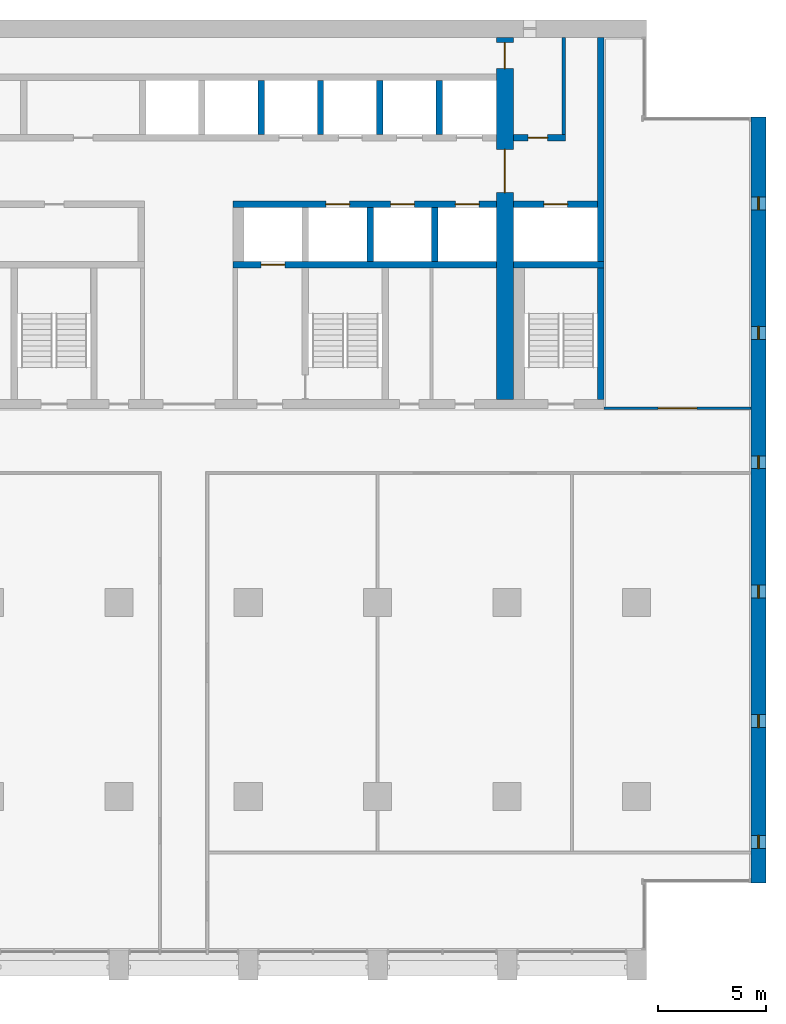
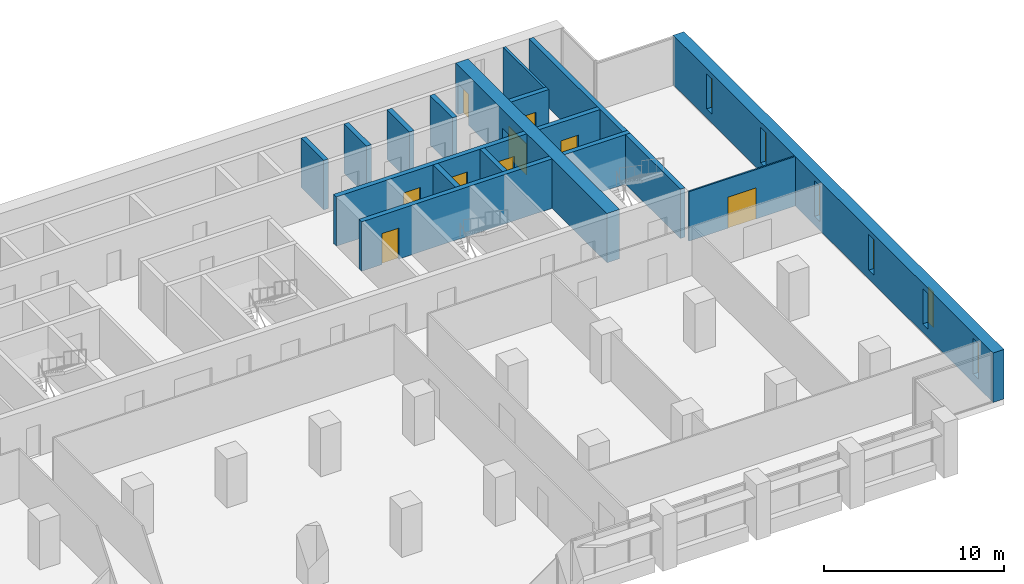
# One storey, part 11 of 15: 17 walls, 9 doors, 6 windows, 15 openings.
"""IFC4 building model written with IfcOpenShell, lengths in metres."""

from ifc_helpers import new_model, si_unit, direction, frame, frame_2d, origin, place, context, subcontext, project, spatial, rectangle, extrude, material, layer, layer_set, type_object, element, fill, save


model = new_model("IFC4")

# Units and contexts
model_context = context("Model", 3, precision=1e-05, world=origin(), true_north=direction((0.0, 1.0)))
body_context = subcontext(model_context, "Body", "Model", "MODEL_VIEW")
ifc_project = project(units=[si_unit("LENGTHUNIT", "METRE"), si_unit("AREAUNIT", "SQUARE_METRE"), si_unit("VOLUMEUNIT", "CUBIC_METRE"), si_unit("PLANEANGLEUNIT", "RADIAN"), si_unit("MASSUNIT", "GRAM", prefix="KILO")], contexts=[model_context])

# Site, building, storey
site_placement = place(None, origin())
site = spatial("IfcSite", under=ifc_project, at=site_placement, CompositionType="ELEMENT")
building_placement = place(site_placement, origin())
building = spatial("IfcBuilding", under=site, at=building_placement, Name="Calvaro Tower", CompositionType="ELEMENT")
storey_placement = place(building_placement, frame((0.0, 0.0, 132.5)))
storey = spatial("IfcBuildingStorey", under=building, at=storey_placement, Name="L33", CompositionType="ELEMENT", Elevation=132.5)

# Wall
ifc_material_1 = material(Name="Blockwork partition", Category="masonry")
ifc_layer_1 = layer(ifc_material_1, 0.14990234375)
ifc_layer_set_1 = layer_set([ifc_layer_1], Name="Blockwork partition")
wall_type_1 = type_object("IfcWallType", Name="Core partition 150 REI 120", PredefinedType="PARTITIONING", material=ifc_layer_set_1)
wall_1_placement = place(storey_placement, frame((62.625, 40.699951171875, 0.0), z_axis=(0.0, 0.0, 1.0), x_axis=(0.0, 1.0, 0.0)))
element("IfcWall", 1, at=wall_1_placement, inside=storey, type_object=wall_type_1, Name="Core partition", PredefinedType="PARTITIONING", context=body_context, shape_type="SweptSolid", body=[
    extrude(rectangle(XDim=4.5, YDim=0.14990234375, at=frame_2d((2.25, 0.0))), origin(), (0.0, 0.0, 1.0), 3.35009765625),
])

# Wall, opening, door
ifc_material_2 = material(Name="Blockwork partition", Category="masonry")
ifc_layer_2 = layer(ifc_material_2, 0.300048828125)
ifc_layer_set_2 = layer_set([ifc_layer_2], Name="Blockwork partition")
wall_type_2 = type_object("IfcWallType", Name="Core partition 300 REI 120", PredefinedType="PARTITIONING", material=ifc_layer_set_2)
wall_2_placement = place(storey_placement, frame((60.300048828125, 40.550048828125, 0.0), z_axis=(0.0, 0.0, 1.0), x_axis=(1.0, 0.0, 0.0)))
wall_2 = element("IfcWall", 2, at=wall_2_placement, inside=storey, type_object=wall_type_2, Name="Core partition", PredefinedType="PARTITIONING", context=body_context, shape_type="SweptSolid", body=[
    extrude(rectangle(XDim=2.39990234375, YDim=0.300048828125, at=frame_2d((1.199951171875, 0.0))), origin(), (0.0, 0.0, 1.0), 3.35009765625),
])
opening_1_placement = place(wall_2_placement, frame((0.675048828125, 0.0, 0.0)))
opening_1 = element("IfcOpeningElement", 3, at=opening_1_placement, cuts=wall_2, Name="Opening RD9E", PredefinedType="OPENING", context=body_context, shape_type="SweptSolid", body=[
    extrude(rectangle(XDim=0.89990234375, YDim=2.10009765625, at=frame_2d((0.449951171875, 1.050048828125))), frame((0.0, 0.159912109375, 0.0), z_axis=(0.0, -1.0, 0.0), x_axis=(1.0, 0.0, 0.0)), (0.0, 0.0, 1.0), 0.320068359375),
])
ifc_material_3 = material(Name="Steel door set", Category="steel")
door_type_1 = type_object("IfcDoorType", Name="Room door 900 FD60", OperationType="SINGLE_SWING_LEFT", PredefinedType="DOOR", material=ifc_material_3)
door_1_placement = place(opening_1_placement, origin())
door_1 = element("IfcDoor", 4, at=door_1_placement, inside=storey, type_object=door_type_1, Name="Room door", OperationType="SINGLE_SWING_LEFT", OverallHeight=2.10009765625, OverallWidth=0.89990234375, PredefinedType="DOOR", context=body_context, shape_type="SweptSolid", body=[
    extrude(rectangle(XDim=0.89990234375, YDim=2.10009765625, at=frame_2d((0.449951171875, 1.050048828125))), frame((0.0, 0.02490234375, 0.0), z_axis=(0.0, -1.0, 0.0), x_axis=(1.0, 0.0, 0.0)), (0.0, 0.0, 1.0), 0.050048828125),
])
fill(opening_1, door_1)

# Walls
ifc_material_4 = material(Name="Concrete C60/75", Category="concrete")
ifc_layer_3 = layer(ifc_material_4, 0.300048828125)
ifc_layer_set_3 = layer_set([ifc_layer_3], Name="Concrete C60/75")
wall_type_3 = type_object("IfcWallType", Name="Core wall C60/75 300", PredefinedType="SHEAR", material=ifc_layer_set_3)
wall_3_placement = place(storey_placement, frame((64.35009765625, 34.800048828125, 0.0), z_axis=(0.0, 0.0, 1.0), x_axis=(0.0, 1.0, 0.0)))
element("IfcWall", 5, at=wall_3_placement, inside=storey, type_object=wall_type_3, Name="Core wall, boundary", PredefinedType="SHEAR", context=body_context, shape_type="SweptSolid", body=[
    extrude(rectangle(XDim=10.39990234375, YDim=0.300048828125, at=frame_2d((5.199951171875, 0.0))), origin(), (0.0, 0.0, 1.0), 3.35009765625),
])
wall_4_placement = place(storey_placement, frame((64.35009765625, 28.39990234375, 0.0), z_axis=(0.0, 0.0, 1.0), x_axis=(0.0, 1.0, 0.0)))
element("IfcWall", 6, at=wall_4_placement, inside=storey, type_object=wall_type_3, Name="Core wall, stair enclosure", PredefinedType="SHEAR", context=body_context, shape_type="SweptSolid", body=[
    extrude(rectangle(XDim=6.10009765625, YDim=0.300048828125, at=frame_2d((3.050048828125, 0.0))), origin(), (0.0, 0.0, 1.0), 3.35009765625),
])

# Wall, opening, door
wall_5_placement = place(storey_placement, frame((47.300048828125, 34.64990234375, 0.0), z_axis=(0.0, 0.0, 1.0), x_axis=(1.0, 0.0, 0.0)))
wall_5 = element("IfcWall", 7, at=wall_5_placement, inside=storey, type_object=wall_type_3, Name="Core wall, lift shaft", PredefinedType="SHEAR", context=body_context, shape_type="SweptSolid", body=[
    extrude(rectangle(XDim=12.199951171875, YDim=0.300048828125, at=frame_2d((6.10009765625, 0.0))), origin(), (0.0, 0.0, 1.0), 3.35009765625),
])
opening_2_placement = place(wall_5_placement, frame((1.300048828125, 0.0, 0.0)))
opening_2 = element("IfcOpeningElement", 8, at=opening_2_placement, cuts=wall_5, Name="Opening FF2", PredefinedType="OPENING", context=body_context, shape_type="SweptSolid", body=[
    extrude(rectangle(XDim=1.10009765625, YDim=2.10009765625, at=frame_2d((0.550048828125, 1.050048828125))), frame((0.0, 0.159912109375, 0.0), z_axis=(0.0, -1.0, 0.0), x_axis=(1.0, 0.0, 0.0)), (0.0, 0.0, 1.0), 0.320068359375),
])
ifc_material_5 = material(Name="Stainless steel", Category="steel")
door_type_2 = type_object("IfcDoorType", Name="Landing door 1100 E 60", OperationType="SLIDING_TO_LEFT", PredefinedType="DOOR", material=ifc_material_5)
door_2_placement = place(opening_2_placement, origin())
door_2 = element("IfcDoor", 9, at=door_2_placement, inside=storey, type_object=door_type_2, Name="Landing door FF2", OperationType="SLIDING_TO_LEFT", OverallHeight=2.10009765625, OverallWidth=1.10009765625, PredefinedType="DOOR", context=body_context, shape_type="SweptSolid", body=[
    extrude(rectangle(XDim=1.10009765625, YDim=2.10009765625, at=frame_2d((0.550048828125, 1.050048828125))), frame((0.0, 0.02490234375, 0.0), z_axis=(0.0, -1.0, 0.0), x_axis=(1.0, 0.0, 0.0)), (0.0, 0.0, 1.0), 0.050048828125),
])
fill(opening_2, door_2)

# Wall
wall_6_placement = place(storey_placement, frame((60.300048828125, 34.64990234375, 0.0), z_axis=(0.0, 0.0, 1.0), x_axis=(1.0, 0.0, 0.0)))
element("IfcWall", 10, at=wall_6_placement, inside=storey, type_object=wall_type_3, Name="Core wall, lift shaft", PredefinedType="SHEAR", context=body_context, shape_type="SweptSolid", body=[
    extrude(rectangle(XDim=4.199951171875, YDim=0.300048828125, at=frame_2d((2.10009765625, 0.0))), origin(), (0.0, 0.0, 1.0), 3.35009765625),
])

# Wall, openings, doors
wall_7_placement = place(storey_placement, frame((47.300048828125, 37.449951171875, 0.0), z_axis=(0.0, 0.0, 1.0), x_axis=(1.0, 0.0, 0.0)))
wall_7 = element("IfcWall", 11, at=wall_7_placement, inside=storey, type_object=wall_type_3, Name="Core wall, lift shaft", PredefinedType="SHEAR", context=body_context, shape_type="SweptSolid", body=[
    extrude(rectangle(XDim=12.199951171875, YDim=0.300048828125, at=frame_2d((6.10009765625, 0.0))), origin(), (0.0, 0.0, 1.0), 3.35009765625),
])
opening_3_placement = place(wall_7_placement, frame((4.300048828125, 0.0, 0.0)))
opening_3 = element("IfcOpeningElement", 12, at=opening_3_placement, cuts=wall_7, Name="Opening MR1", PredefinedType="OPENING", context=body_context, shape_type="SweptSolid", body=[
    extrude(rectangle(XDim=1.10009765625, YDim=2.10009765625, at=frame_2d((0.550048828125, 1.050048828125))), frame((0.0, 0.159912109375, 0.0), z_axis=(0.0, -1.0, 0.0), x_axis=(1.0, 0.0, 0.0)), (0.0, 0.0, 1.0), 0.320068359375),
])
opening_4_placement = place(wall_7_placement, frame((7.300048828125, 0.0, 0.0)))
opening_4 = element("IfcOpeningElement", 13, at=opening_4_placement, cuts=wall_7, Name="Opening MR2", PredefinedType="OPENING", context=body_context, shape_type="SweptSolid", body=[
    extrude(rectangle(XDim=1.10009765625, YDim=2.10009765625, at=frame_2d((0.550048828125, 1.050048828125))), frame((0.0, 0.159912109375, 0.0), z_axis=(0.0, -1.0, 0.0), x_axis=(1.0, 0.0, 0.0)), (0.0, 0.0, 1.0), 0.320068359375),
])
opening_5_placement = place(wall_7_placement, frame((10.300048828125, 0.0, 0.0)))
opening_5 = element("IfcOpeningElement", 14, at=opening_5_placement, cuts=wall_7, Name="Opening MR3", PredefinedType="OPENING", context=body_context, shape_type="SweptSolid", body=[
    extrude(rectangle(XDim=1.10009765625, YDim=2.10009765625, at=frame_2d((0.550048828125, 1.050048828125))), frame((0.0, 0.159912109375, 0.0), z_axis=(0.0, -1.0, 0.0), x_axis=(1.0, 0.0, 0.0)), (0.0, 0.0, 1.0), 0.320068359375),
])
door_3_placement = place(opening_3_placement, origin())
door_3 = element("IfcDoor", 15, at=door_3_placement, inside=storey, type_object=door_type_2, Name="Landing door MR1", OperationType="SLIDING_TO_LEFT", OverallHeight=2.10009765625, OverallWidth=1.10009765625, PredefinedType="DOOR", context=body_context, shape_type="SweptSolid", body=[
    extrude(rectangle(XDim=1.10009765625, YDim=2.10009765625, at=frame_2d((0.550048828125, 1.050048828125))), frame((0.0, 0.02490234375, 0.0), z_axis=(0.0, -1.0, 0.0), x_axis=(1.0, 0.0, 0.0)), (0.0, 0.0, 1.0), 0.050048828125),
])
fill(opening_3, door_3)
door_4_placement = place(opening_4_placement, origin())
door_4 = element("IfcDoor", 16, at=door_4_placement, inside=storey, type_object=door_type_2, Name="Landing door MR2", OperationType="SLIDING_TO_LEFT", OverallHeight=2.10009765625, OverallWidth=1.10009765625, PredefinedType="DOOR", context=body_context, shape_type="SweptSolid", body=[
    extrude(rectangle(XDim=1.10009765625, YDim=2.10009765625, at=frame_2d((0.550048828125, 1.050048828125))), frame((0.0, 0.02490234375, 0.0), z_axis=(0.0, -1.0, 0.0), x_axis=(1.0, 0.0, 0.0)), (0.0, 0.0, 1.0), 0.050048828125),
])
fill(opening_4, door_4)
door_5_placement = place(opening_5_placement, origin())
door_5 = element("IfcDoor", 17, at=door_5_placement, inside=storey, type_object=door_type_2, Name="Landing door MR3", OperationType="SLIDING_TO_LEFT", OverallHeight=2.10009765625, OverallWidth=1.10009765625, PredefinedType="DOOR", context=body_context, shape_type="SweptSolid", body=[
    extrude(rectangle(XDim=1.10009765625, YDim=2.10009765625, at=frame_2d((0.550048828125, 1.050048828125))), frame((0.0, 0.02490234375, 0.0), z_axis=(0.0, -1.0, 0.0), x_axis=(1.0, 0.0, 0.0)), (0.0, 0.0, 1.0), 0.050048828125),
])
fill(opening_5, door_5)

# Wall, opening, door
wall_8_placement = place(storey_placement, frame((60.300048828125, 37.449951171875, 0.0), z_axis=(0.0, 0.0, 1.0), x_axis=(1.0, 0.0, 0.0)))
wall_8 = element("IfcWall", 18, at=wall_8_placement, inside=storey, type_object=wall_type_3, Name="Core wall, lift shaft", PredefinedType="SHEAR", context=body_context, shape_type="SweptSolid", body=[
    extrude(rectangle(XDim=3.89990234375, YDim=0.300048828125, at=frame_2d((1.949951171875, 0.0))), origin(), (0.0, 0.0, 1.0), 3.35009765625),
])
opening_6_placement = place(wall_8_placement, frame((1.39990234375, 0.0, 0.0)))
opening_6 = element("IfcOpeningElement", 19, at=opening_6_placement, cuts=wall_8, Name="Opening FF3", PredefinedType="OPENING", context=body_context, shape_type="SweptSolid", body=[
    extrude(rectangle(XDim=1.10009765625, YDim=2.10009765625, at=frame_2d((0.550048828125, 1.050048828125))), frame((0.0, 0.159912109375, 0.0), z_axis=(0.0, -1.0, 0.0), x_axis=(1.0, 0.0, 0.0)), (0.0, 0.0, 1.0), 0.320068359375),
])
door_6_placement = place(opening_6_placement, origin())
door_6 = element("IfcDoor", 20, at=door_6_placement, inside=storey, type_object=door_type_2, Name="Landing door FF3", OperationType="SLIDING_TO_LEFT", OverallHeight=2.10009765625, OverallWidth=1.10009765625, PredefinedType="DOOR", context=body_context, shape_type="SweptSolid", body=[
    extrude(rectangle(XDim=1.10009765625, YDim=2.10009765625, at=frame_2d((0.550048828125, 1.050048828125))), frame((0.0, 0.02490234375, 0.0), z_axis=(0.0, -1.0, 0.0), x_axis=(1.0, 0.0, 0.0)), (0.0, 0.0, 1.0), 0.050048828125),
])
fill(opening_6, door_6)

# Walls
for number, where, z_axis, x_axis, name in (
    (21, (53.64990234375, 34.800048828125, 0.0), (0.0, 0.0, 1.0), (0.0, 1.0, 0.0), "Core wall, lift shaft"),
    (22, (56.64990234375, 34.800048828125, 0.0), (0.0, 0.0, 1.0), (0.0, 1.0, 0.0), "Core wall, lift shaft"),
    (23, (48.60009765625, 40.699951171875, 0.0), (0.0, 0.0, 1.0), (0.0, 1.0, 0.0), "Core wall, lift shaft"),
    (24, (51.35009765625, 40.699951171875, 0.0), (0.0, 0.0, 1.0), (0.0, 1.0, 0.0), "Core wall, lift shaft"),
    (25, (54.10009765625, 40.699951171875, 0.0), (0.0, 0.0, 1.0), (0.0, 1.0, 0.0), "Core wall, lift shaft"),
    (26, (56.85009765625, 40.699951171875, 0.0), (0.0, 0.0, 1.0), (0.0, 1.0, 0.0), "Core wall, lift shaft"),
):
    element("IfcWall", number, at=place(storey_placement, frame(where, z_axis=z_axis, x_axis=x_axis)), inside=storey, type_object=wall_type_3, Name=name, PredefinedType="SHEAR", context=body_context, shape_type="SweptSolid", body=[
        extrude(rectangle(XDim=2.5, YDim=0.300048828125, at=frame_2d((1.25, 0.0))), origin(), (0.0, 0.0, 1.0), 3.35009765625),
    ])

# Wall, openings, doors
ifc_material_6 = material(Name="Concrete C60/75", Category="concrete")
ifc_layer_4 = layer(ifc_material_6, 0.800048828125)
ifc_layer_set_4 = layer_set([ifc_layer_4], Name="Concrete C60/75")
wall_type_4 = type_object("IfcWallType", Name="Core wall C60/75 800", PredefinedType="SHEAR", material=ifc_layer_set_4)
wall_9_placement = place(storey_placement, frame((59.89990234375, 28.39990234375, 0.0), z_axis=(0.0, 0.0, 1.0), x_axis=(0.0, 1.0, 0.0)))
wall_9 = element("IfcWall", 27, at=wall_9_placement, inside=storey, type_object=wall_type_4, Name="Core wall, cross shear wall", PredefinedType="SHEAR", context=body_context, shape_type="SweptSolid", body=[
    extrude(rectangle(XDim=16.800048828125, YDim=0.800048828125, at=frame_2d((8.39990234375, 0.0))), origin(), (0.0, 0.0, 1.0), 3.35009765625),
])
opening_7_placement = place(wall_9_placement, frame((9.60009765625, 0.0, 0.0)))
opening_7 = element("IfcOpeningElement", 28, at=opening_7_placement, cuts=wall_9, Name="Opening DD20D", PredefinedType="OPENING", context=body_context, shape_type="SweptSolid", body=[
    extrude(rectangle(XDim=2.0, YDim=2.10009765625, at=frame_2d((1.0, 1.050048828125))), frame((0.0, 0.409912109375, 0.0), z_axis=(0.0, -1.0, 0.0), x_axis=(1.0, 0.0, 0.0)), (0.0, 0.0, 1.0), 0.820068359375),
])
opening_8_placement = place(wall_9_placement, frame((15.35009765625, 0.0, 0.0)))
opening_8 = element("IfcOpeningElement", 29, at=opening_8_placement, cuts=wall_9, Name="Opening FD12C", PredefinedType="OPENING", context=body_context, shape_type="SweptSolid", body=[
    extrude(rectangle(XDim=1.199951171875, YDim=2.10009765625, at=frame_2d((0.60009765625, 1.050048828125))), frame((0.0, 0.409912109375, 0.0), z_axis=(0.0, -1.0, 0.0), x_axis=(1.0, 0.0, 0.0)), (0.0, 0.0, 1.0), 0.820068359375),
])
ifc_material_7 = material(Name="Steel door set", Category="steel")
door_type_3 = type_object("IfcDoorType", Name="Fire door 1200 FD30", OperationType="SINGLE_SWING_LEFT", PredefinedType="DOOR", material=ifc_material_7)
door_7_placement = place(opening_8_placement, origin())
door_7 = element("IfcDoor", 30, at=door_7_placement, inside=storey, type_object=door_type_3, Name="Fire door", OperationType="SINGLE_SWING_LEFT", OverallHeight=2.10009765625, OverallWidth=1.199951171875, PredefinedType="DOOR", context=body_context, shape_type="SweptSolid", body=[
    extrude(rectangle(XDim=1.199951171875, YDim=2.10009765625, at=frame_2d((0.60009765625, 1.050048828125))), frame((0.0, 0.02490234375, 0.0), z_axis=(0.0, -1.0, 0.0), x_axis=(1.0, 0.0, 0.0)), (0.0, 0.0, 1.0), 0.050048828125),
])
fill(opening_8, door_7)
ifc_material_8 = material(Name="Steel door set", Category="steel")
door_type_4 = type_object("IfcDoorType", Name="Lobby double door 2000 FD30S", OperationType="DOUBLE_DOOR_SINGLE_SWING", PredefinedType="DOOR", material=ifc_material_8)
door_8_placement = place(opening_7_placement, origin())
door_8 = element("IfcDoor", 31, at=door_8_placement, inside=storey, type_object=door_type_4, Name="Lobby double door", OperationType="DOUBLE_DOOR_SINGLE_SWING", OverallHeight=2.10009765625, OverallWidth=2.0, PredefinedType="DOOR", context=body_context, shape_type="SweptSolid", body=[
    extrude(rectangle(XDim=2.0, YDim=2.10009765625, at=frame_2d((1.0, 1.050048828125))), frame((0.0, 0.02490234375, 0.0), z_axis=(0.0, -1.0, 0.0), x_axis=(1.0, 0.0, 0.0)), (0.0, 0.0, 1.0), 0.050048828125),
])
fill(opening_7, door_8)

# Wall, openings, windows
ifc_material_9 = material(Name="Concrete C60/75", Category="concrete")
ifc_layer_5 = layer(ifc_material_9, 0.699951171875)
ifc_layer_set_5 = layer_set([ifc_layer_5], Name="Concrete C60/75")
wall_type_5 = type_object("IfcWallType", Name="End wall 700 C60/75", PredefinedType="SHEAR", material=ifc_layer_set_5)
wall_10_placement = place(storey_placement, frame((71.64990234375, 6.0, 0.0), z_axis=(0.0, 0.0, 1.0), x_axis=(0.0, 1.0, 0.0)))
wall_10 = element("IfcWall", 32, at=wall_10_placement, inside=storey, type_object=wall_type_5, Name="End shear wall", PredefinedType="SHEAR", context=body_context, shape_type="SweptSolid", body=[
    extrude(rectangle(XDim=35.5, YDim=0.699951171875, at=frame_2d((17.75, 0.0))), origin(), (0.0, 0.0, 1.0), 3.35009765625),
])
opening_9_placement = place(wall_10_placement, frame((1.60009765625, 0.0, 0.60009765625)))
opening_9 = element("IfcOpeningElement", 33, at=opening_9_placement, cuts=wall_10, Name="Opening WE01", PredefinedType="OPENING", context=body_context, shape_type="SweptSolid", body=[
    extrude(rectangle(XDim=0.60009765625, YDim=2.39990234375, at=frame_2d((0.300048828125, 1.199951171875))), frame((0.0, 0.35986328125, 0.0), z_axis=(0.0, -1.0, 0.0), x_axis=(1.0, 0.0, 0.0)), (0.0, 0.0, 1.0), 0.719970703125),
])
opening_10_placement = place(wall_10_placement, frame((7.199951171875, 0.0, 0.60009765625)))
opening_10 = element("IfcOpeningElement", 34, at=opening_10_placement, cuts=wall_10, Name="Opening WE02", PredefinedType="OPENING", context=body_context, shape_type="SweptSolid", body=[
    extrude(rectangle(XDim=0.60009765625, YDim=2.39990234375, at=frame_2d((0.300048828125, 1.199951171875))), frame((0.0, 0.35986328125, 0.0), z_axis=(0.0, -1.0, 0.0), x_axis=(1.0, 0.0, 0.0)), (0.0, 0.0, 1.0), 0.719970703125),
])
opening_11_placement = place(wall_10_placement, frame((13.199951171875, 0.0, 0.60009765625)))
opening_11 = element("IfcOpeningElement", 35, at=opening_11_placement, cuts=wall_10, Name="Opening WE03", PredefinedType="OPENING", context=body_context, shape_type="SweptSolid", body=[
    extrude(rectangle(XDim=0.60009765625, YDim=2.39990234375, at=frame_2d((0.300048828125, 1.199951171875))), frame((0.0, 0.35986328125, 0.0), z_axis=(0.0, -1.0, 0.0), x_axis=(1.0, 0.0, 0.0)), (0.0, 0.0, 1.0), 0.719970703125),
])
opening_12_placement = place(wall_10_placement, frame((19.199951171875, 0.0, 0.60009765625)))
opening_12 = element("IfcOpeningElement", 36, at=opening_12_placement, cuts=wall_10, Name="Opening WE04", PredefinedType="OPENING", context=body_context, shape_type="SweptSolid", body=[
    extrude(rectangle(XDim=0.60009765625, YDim=2.39990234375, at=frame_2d((0.300048828125, 1.199951171875))), frame((0.0, 0.35986328125, 0.0), z_axis=(0.0, -1.0, 0.0), x_axis=(1.0, 0.0, 0.0)), (0.0, 0.0, 1.0), 0.719970703125),
])
opening_13_placement = place(wall_10_placement, frame((25.199951171875, 0.0, 0.60009765625)))
opening_13 = element("IfcOpeningElement", 37, at=opening_13_placement, cuts=wall_10, Name="Opening WE05", PredefinedType="OPENING", context=body_context, shape_type="SweptSolid", body=[
    extrude(rectangle(XDim=0.60009765625, YDim=2.39990234375, at=frame_2d((0.300048828125, 1.199951171875))), frame((0.0, 0.35986328125, 0.0), z_axis=(0.0, -1.0, 0.0), x_axis=(1.0, 0.0, 0.0)), (0.0, 0.0, 1.0), 0.719970703125),
])
opening_14_placement = place(wall_10_placement, frame((31.199951171875, 0.0, 0.60009765625)))
opening_14 = element("IfcOpeningElement", 38, at=opening_14_placement, cuts=wall_10, Name="Opening WE06", PredefinedType="OPENING", context=body_context, shape_type="SweptSolid", body=[
    extrude(rectangle(XDim=0.60009765625, YDim=2.39990234375, at=frame_2d((0.300048828125, 1.199951171875))), frame((0.0, 0.35986328125, 0.0), z_axis=(0.0, -1.0, 0.0), x_axis=(1.0, 0.0, 0.0)), (0.0, 0.0, 1.0), 0.719970703125),
])
ifc_material_10 = material(Name="Glass", Category="glass")
window_type = type_object("IfcWindowType", Name="Slit window 600 x 2400", PartitioningType="SINGLE_PANEL", PredefinedType="WINDOW", material=ifc_material_10)
window_1_placement = place(opening_9_placement, origin())
window_1 = element("IfcWindow", 39, at=window_1_placement, inside=storey, type_object=window_type, Name="Window WE01", OverallHeight=2.39990234375, OverallWidth=0.60009765625, PartitioningType="SINGLE_PANEL", PredefinedType="WINDOW", context=body_context, shape_type="SweptSolid", body=[
    extrude(rectangle(XDim=0.60009765625, YDim=2.39990234375, at=frame_2d((0.300048828125, 1.199951171875))), frame((0.0, 0.030029296875, 0.0), z_axis=(0.0, -1.0, 0.0), x_axis=(1.0, 0.0, 0.0)), (0.0, 0.0, 1.0), 0.06005859375),
])
fill(opening_9, window_1)
window_2_placement = place(opening_10_placement, origin())
window_2 = element("IfcWindow", 40, at=window_2_placement, inside=storey, type_object=window_type, Name="Window WE02", OverallHeight=2.39990234375, OverallWidth=0.60009765625, PartitioningType="SINGLE_PANEL", PredefinedType="WINDOW", context=body_context, shape_type="SweptSolid", body=[
    extrude(rectangle(XDim=0.60009765625, YDim=2.39990234375, at=frame_2d((0.300048828125, 1.199951171875))), frame((0.0, 0.030029296875, 0.0), z_axis=(0.0, -1.0, 0.0), x_axis=(1.0, 0.0, 0.0)), (0.0, 0.0, 1.0), 0.06005859375),
])
fill(opening_10, window_2)
window_3_placement = place(opening_11_placement, origin())
window_3 = element("IfcWindow", 41, at=window_3_placement, inside=storey, type_object=window_type, Name="Window WE03", OverallHeight=2.39990234375, OverallWidth=0.60009765625, PartitioningType="SINGLE_PANEL", PredefinedType="WINDOW", context=body_context, shape_type="SweptSolid", body=[
    extrude(rectangle(XDim=0.60009765625, YDim=2.39990234375, at=frame_2d((0.300048828125, 1.199951171875))), frame((0.0, 0.030029296875, 0.0), z_axis=(0.0, -1.0, 0.0), x_axis=(1.0, 0.0, 0.0)), (0.0, 0.0, 1.0), 0.06005859375),
])
fill(opening_11, window_3)
window_4_placement = place(opening_12_placement, origin())
window_4 = element("IfcWindow", 42, at=window_4_placement, inside=storey, type_object=window_type, Name="Window WE04", OverallHeight=2.39990234375, OverallWidth=0.60009765625, PartitioningType="SINGLE_PANEL", PredefinedType="WINDOW", context=body_context, shape_type="SweptSolid", body=[
    extrude(rectangle(XDim=0.60009765625, YDim=2.39990234375, at=frame_2d((0.300048828125, 1.199951171875))), frame((0.0, 0.030029296875, 0.0), z_axis=(0.0, -1.0, 0.0), x_axis=(1.0, 0.0, 0.0)), (0.0, 0.0, 1.0), 0.06005859375),
])
fill(opening_12, window_4)
window_5_placement = place(opening_13_placement, origin())
window_5 = element("IfcWindow", 43, at=window_5_placement, inside=storey, type_object=window_type, Name="Window WE05", OverallHeight=2.39990234375, OverallWidth=0.60009765625, PartitioningType="SINGLE_PANEL", PredefinedType="WINDOW", context=body_context, shape_type="SweptSolid", body=[
    extrude(rectangle(XDim=0.60009765625, YDim=2.39990234375, at=frame_2d((0.300048828125, 1.199951171875))), frame((0.0, 0.030029296875, 0.0), z_axis=(0.0, -1.0, 0.0), x_axis=(1.0, 0.0, 0.0)), (0.0, 0.0, 1.0), 0.06005859375),
])
fill(opening_13, window_5)
window_6_placement = place(opening_14_placement, origin())
window_6 = element("IfcWindow", 44, at=window_6_placement, inside=storey, type_object=window_type, Name="Window WE06", OverallHeight=2.39990234375, OverallWidth=0.60009765625, PartitioningType="SINGLE_PANEL", PredefinedType="WINDOW", context=body_context, shape_type="SweptSolid", body=[
    extrude(rectangle(XDim=0.60009765625, YDim=2.39990234375, at=frame_2d((0.300048828125, 1.199951171875))), frame((0.0, 0.030029296875, 0.0), z_axis=(0.0, -1.0, 0.0), x_axis=(1.0, 0.0, 0.0)), (0.0, 0.0, 1.0), 0.06005859375),
])
fill(opening_14, window_6)

# Wall, opening, door
ifc_material_11 = material(Name="Plasterboard on steel studs", Category="steel")
ifc_layer_6 = layer(ifc_material_11, 0.10009765625)
ifc_layer_set_6 = layer_set([ifc_layer_6], Name="Plasterboard on steel studs")
wall_type_6 = type_object("IfcWallType", Name="Partition 100", PredefinedType="PARTITIONING", material=ifc_layer_set_6)
wall_11_placement = place(storey_placement, frame((64.5, 28.0, 0.0), z_axis=(0.0, 0.0, 1.0), x_axis=(1.0, 0.0, 0.0)))
wall_11 = element("IfcWall", 45, at=wall_11_placement, inside=storey, type_object=wall_type_6, Name="Partition T20.W007", PredefinedType="PARTITIONING", context=body_context, shape_type="SweptSolid", body=[
    extrude(rectangle(XDim=6.800048828125, YDim=0.10009765625, at=frame_2d((3.39990234375, 0.0))), origin(), (0.0, 0.0, 1.0), 3.35009765625),
])
opening_15_placement = place(wall_11_placement, frame((2.5, 0.0, 0.0)))
opening_15 = element("IfcOpeningElement", 46, at=opening_15_placement, cuts=wall_11, Name="Opening T20.013", PredefinedType="OPENING", context=body_context, shape_type="SweptSolid", body=[
    extrude(rectangle(XDim=1.800048828125, YDim=2.10009765625, at=frame_2d((0.89990234375, 1.050048828125))), frame((0.0, 0.06005859375, 0.0), z_axis=(0.0, -1.0, 0.0), x_axis=(1.0, 0.0, 0.0)), (0.0, 0.0, 1.0), 0.1201171875),
])
ifc_material_12 = material(Name="Timber", Category="wood")
door_type_5 = type_object("IfcDoorType", Name="Internal double door 1800 x 2100", OperationType="DOUBLE_DOOR_SINGLE_SWING", PredefinedType="DOOR", material=ifc_material_12)
door_9_placement = place(opening_15_placement, origin())
door_9 = element("IfcDoor", 47, at=door_9_placement, inside=storey, type_object=door_type_5, Name="Door T20.013", OperationType="DOUBLE_DOOR_SINGLE_SWING", OverallHeight=2.10009765625, OverallWidth=1.800048828125, PredefinedType="DOOR", context=body_context, shape_type="SweptSolid", body=[
    extrude(rectangle(XDim=1.800048828125, YDim=2.10009765625, at=frame_2d((0.89990234375, 1.050048828125))), frame((0.0, 0.02490234375, 0.0), z_axis=(0.0, -1.0, 0.0), x_axis=(1.0, 0.0, 0.0)), (0.0, 0.0, 1.0), 0.050048828125),
])
fill(opening_15, door_9)

save(model, "model.ifc")
